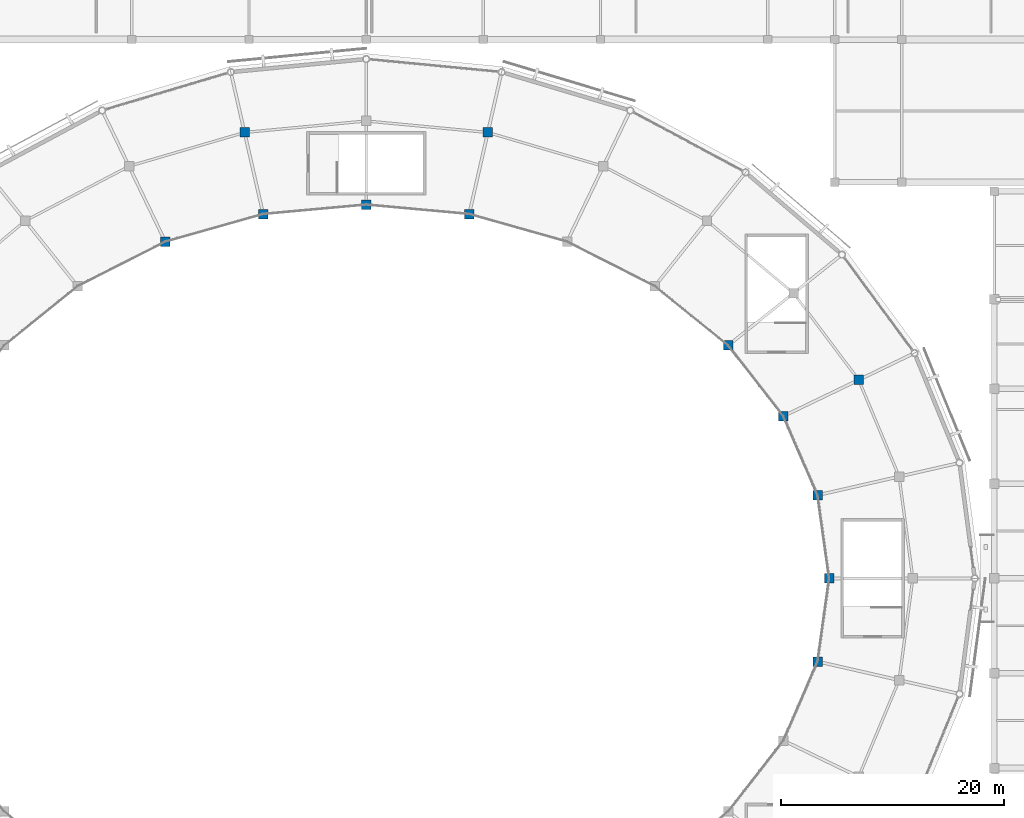
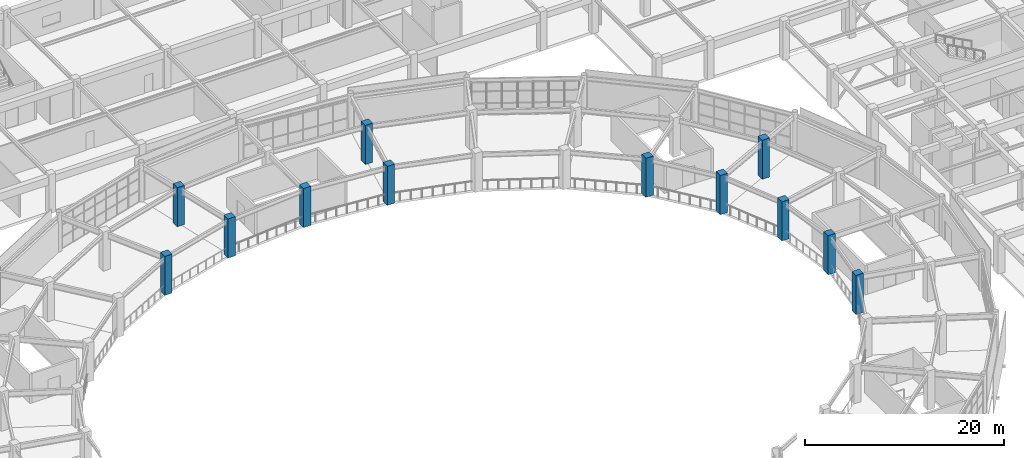
# One storey, part 9 of 112: 12 columns.
"""IFC4 building model written with IfcOpenShell, lengths in metres."""

from ifc_helpers import new_model, si_unit, direction, frame, origin, origin_2d, place, context, subcontext, project, spatial, rectangle, extrude, material, material_profile, profile_set, type_object, element, save


model = new_model("IFC4")

# Units and contexts
model_context = context("Model", 3, precision=1e-05, world=origin(), true_north=direction((0.0, 1.0)))
body_context = subcontext(model_context, "Body", "Model", "MODEL_VIEW")
ifc_project = project(units=[si_unit("LENGTHUNIT", "METRE"), si_unit("AREAUNIT", "SQUARE_METRE"), si_unit("VOLUMEUNIT", "CUBIC_METRE"), si_unit("PLANEANGLEUNIT", "RADIAN"), si_unit("MASSUNIT", "GRAM", prefix="KILO")], contexts=[model_context])

# Site, building, storey
site_placement = place(None, origin())
site = spatial("IfcSite", under=ifc_project, at=site_placement, CompositionType="ELEMENT")
building_placement = place(site_placement, origin())
building = spatial("IfcBuilding", under=site, at=building_placement, Name="Cuetzalor Civic Arena", CompositionType="ELEMENT")
storey_placement = place(building_placement, frame((0.0, 0.0, 11.39990234375)))
storey = spatial("IfcBuildingStorey", under=building, at=storey_placement, Name="L02", CompositionType="ELEMENT", Elevation=11.39990234375)

# Columns
ifc_material = material(Name="Concrete C40/50", Category="concrete")
ifc_material_profile = material_profile(ifc_material, rectangle(XDim=0.85009765625, YDim=0.85009765625, at=origin_2d()), Name="RC 850x850")
ifc_profile_set = profile_set([ifc_material_profile], Name="Concrete C40/50")
column_type = type_object("IfcColumnType", Name="ConcreteColumn_850", PredefinedType="COLUMN", material=ifc_profile_set)
for number, where, z_axis, x_axis, name in (
    (1, (41.5, 0.0, 0.0), (0.0, 0.0, 1.0), (1.0, 0.0, 0.0), "Column V1-MID-01 L02"),
    (2, (40.45947265625, 7.45458984375, 0.0), (0.0, 0.0, 1.0), (1.0, 0.0, 0.0), "Column V1-MID-02 L02"),
    (3, (44.1474609375, 17.789306640625, 0.0), (0.0, 0.0, 1.0), (1.0, 0.0, 0.0), "Column V1-REC-03 L02"),
    (4, (37.39013671875, 14.53515625, 0.0), (0.0, 0.0, 1.0), (1.0, 0.0, 0.0), "Column V1-MID-03 L02"),
    (5, (32.446044921875, 20.886962890625, 0.0), (0.0, 0.0, 1.0), (1.0, 0.0, 0.0), "Column V1-MID-04 L02"),
    (6, (10.903564453125, 39.971923828125, 0.0), (0.0, 0.0, 1.0), (1.0, 0.0, 0.0), "Column V1-REC-07 L02"),
    (7, (9.234619140625, 32.66015625, 0.0), (0.0, 0.0, 1.0), (1.0, 0.0, 0.0), "Column V1-MID-07 L02"),
    (8, (0.0, 33.5, 0.0), (0.0, 0.0, 1.0), (1.0, 0.0, 0.0), "Column V1-MID-08 L02"),
    (9, (-10.903564453125, 39.971923828125, 0.0), (0.0, 0.0, 1.0), (1.0, 0.0, 0.0), "Column V1-REC-09 L02"),
    (10, (-9.234619140625, 32.66015625, 0.0), (0.0, 0.0, 1.0), (1.0, 0.0, 0.0), "Column V1-MID-09 L02"),
    (11, (-18.006103515625, 30.1826171875, 0.0), (0.0, 0.0, 1.0), (1.0, 0.0, 0.0), "Column V1-MID-10 L02"),
    (12, (40.45947265625, -7.45458984375, 0.0), (0.0, 0.0, 1.0), (1.0, 0.0, 0.0), "Column V1-MID-28 L02"),
):
    element("IfcColumn", number, at=place(storey_placement, frame(where, z_axis=z_axis, x_axis=x_axis)), inside=storey, type_object=column_type, Name=name, PredefinedType="COLUMN", context=body_context, shape_type="SweptSolid", body=[
        extrude(rectangle(XDim=0.85009765625, YDim=0.85009765625, at=origin_2d()), origin(), (0.0, 0.0, 1.0), 4.800048828125),
    ])

save(model, "model.ifc")
